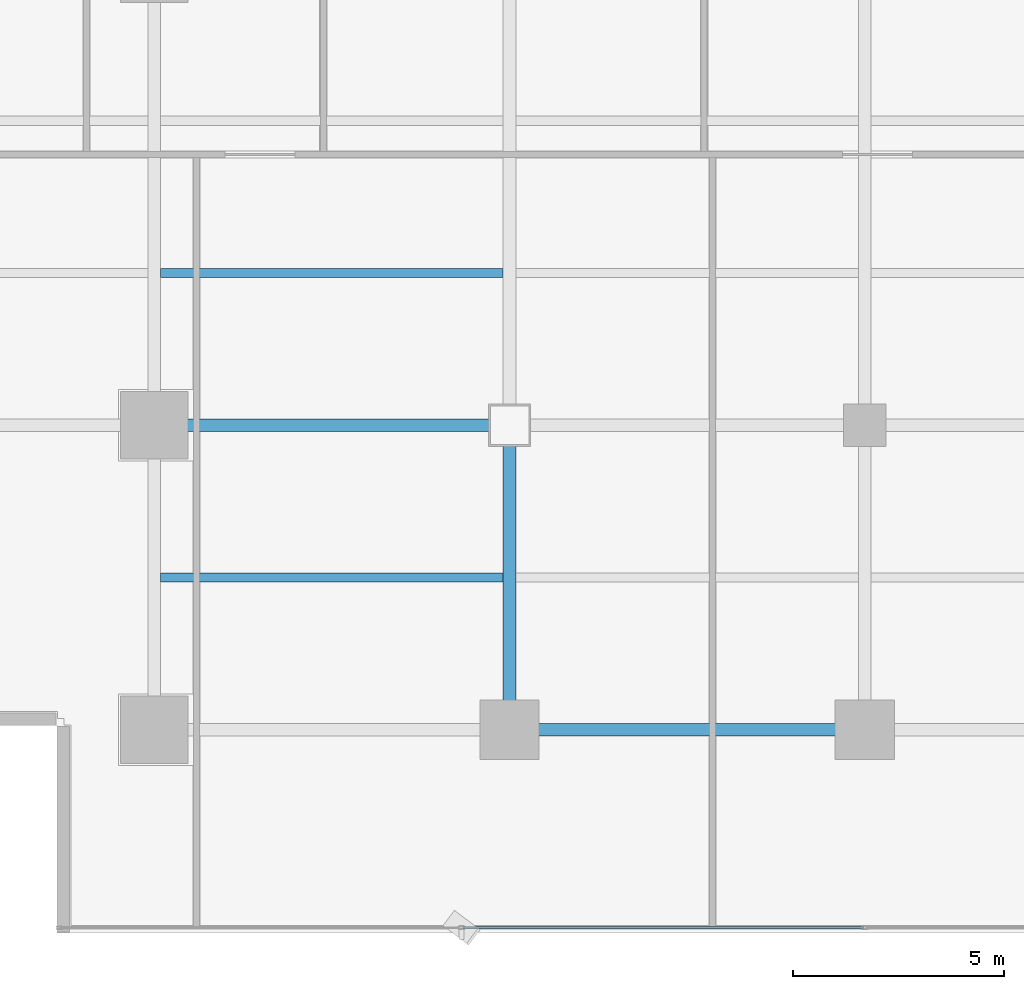
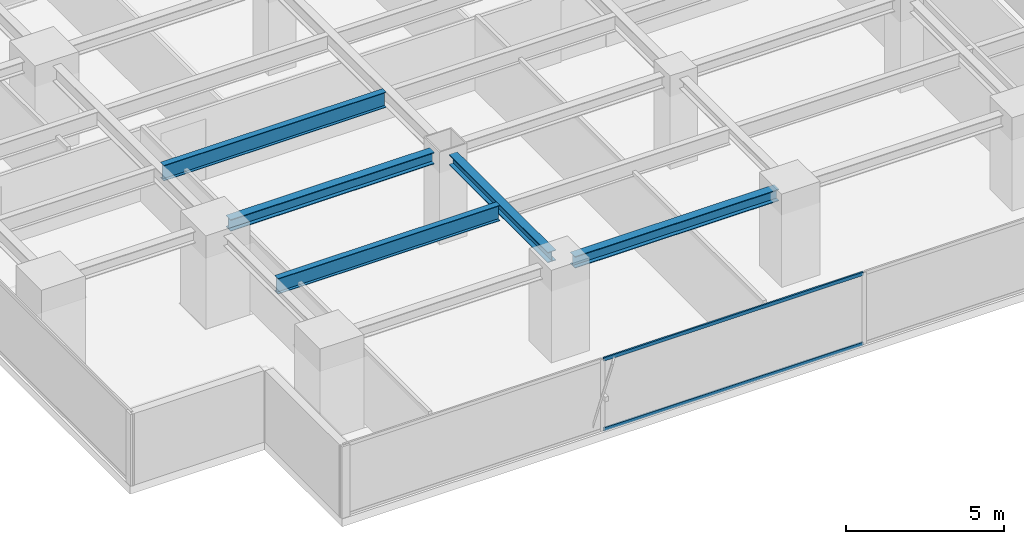
# One storey, part 4 of 29: 5 beams, 2 members, 1 element without a shape of its own.
"""IFC4 building model written with IfcOpenShell, lengths in metres."""

from ifc_helpers import new_model, si_unit, direction, frame, origin, origin_2d, place, context, subcontext, project, spatial, hollow_rectangle, i_section, extrude, source, transform, mapped, material, layer, layer_set, material_profile, profile_set, type_object, element, aggregate, save


model = new_model("IFC4")

# Units and contexts
model_context = context("Model", 3, precision=1e-05, world=origin(), true_north=direction((0.0, 1.0)))
body_context = subcontext(model_context, "Body", "Model", "MODEL_VIEW")
ifc_project = project(units=[si_unit("LENGTHUNIT", "METRE"), si_unit("AREAUNIT", "SQUARE_METRE"), si_unit("VOLUMEUNIT", "CUBIC_METRE"), si_unit("PLANEANGLEUNIT", "RADIAN"), si_unit("MASSUNIT", "GRAM", prefix="KILO")], contexts=[model_context])

# Site, building, storey
site_placement = place(None, origin())
site = spatial("IfcSite", under=ifc_project, at=site_placement, CompositionType="ELEMENT")
building_placement = place(site_placement, origin())
building = spatial("IfcBuilding", under=site, at=building_placement, Name="Sumidabori Civic Tower", CompositionType="ELEMENT")
storey_placement = place(building_placement, frame((0.0, 0.0, 131.60009765625)))
storey = spatial("IfcBuildingStorey", under=building, at=storey_placement, Name="L33", CompositionType="ELEMENT", Elevation=131.60009765625)

# Beams
ifc_material_1 = material(Name="Steel SN490", Category="steel")
ifc_material_profile_1 = material_profile(ifc_material_1, i_section(OverallWidth=0.300048828125, OverallDepth=0.39990234375, WebThickness=0.013427734375, FlangeThickness=0.02392578125, at=origin_2d()), Name="HE 400 B")
ifc_profile_set_1 = profile_set([ifc_material_profile_1], Name="Steel SN490")
beam_type_1 = type_object("IfcBeamType", Name="BM-GIRD-400", PredefinedType="BEAM", material=ifc_profile_set_1)
shared_shape_1 = source(origin(), body_context, "Body", "SweptSolid", [
    extrude(i_section(OverallWidth=0.300048828125, OverallDepth=0.39990234375, WebThickness=0.013427734375, FlangeThickness=0.02392578125, at=origin_2d()), origin(), (0.0, 0.0, 1.0), 6.239990234375),
])
beam_1_placement = place(storey_placement, frame((-8.39990234375, -17.52001953125, 3.179931640625), z_axis=(0.0, 1.0, 0.0), x_axis=(-1.0, 0.0, 0.0)))
element("IfcBeam", 1, at=beam_1_placement, inside=storey, type_object=beam_type_1, Name="Primary Girder L33 GY-26", PredefinedType="BEAM", context=body_context, shape_type="MappedRepresentation", body=[
    mapped(shared_shape_1, transform((0.0, 0.0, 0.0), x_axis=(1.0, 0.0, 0.0), y_axis=(0.0, 1.0, 0.0), z_axis=(0.0, 0.0, 1.0), scale=1.0)),
])
ifc_material_profile_2 = material_profile(ifc_material_1, i_section(OverallWidth=0.219970703125, OverallDepth=0.60009765625, WebThickness=0.011962890625, FlangeThickness=0.01904296875, at=origin_2d()), Name="IPE 600")
ifc_profile_set_2 = profile_set([ifc_material_profile_2], Name="Steel SN490")
beam_type_2 = type_object("IfcBeamType", Name="BM-JST-600", PredefinedType="JOIST", material=ifc_profile_set_2)
shared_shape_2 = source(origin(), body_context, "Body", "SweptSolid", [
    extrude(i_section(OverallWidth=0.219970703125, OverallDepth=0.60009765625, WebThickness=0.011962890625, FlangeThickness=0.01904296875, at=origin_2d()), origin(), (0.0, 0.0, 1.0), 8.099853515625),
])
for number, where, z_axis, x_axis, name in (
    (2, (-16.64990234375, -14.39990234375, 3.079833984375), (1.0, 0.0, 0.0), (0.0, 1.0, 0.0), "South Bay Floor Joist L33 JSTS-49"),
    (3, (-16.64990234375, -7.199951171875, 3.079833984375), (1.0, 0.0, 0.0), (0.0, 1.0, 0.0), "South Bay Floor Joist L33 JSTS-53"),
):
    element("IfcBeam", number, at=place(storey_placement, frame(where, z_axis=z_axis, x_axis=x_axis)), inside=storey, type_object=beam_type_2, Name=name, PredefinedType="JOIST", context=body_context, shape_type="MappedRepresentation", body=[
        mapped(shared_shape_2, transform((0.0, 0.0, 0.0), x_axis=(1.0, 0.0, 0.0), y_axis=(0.0, 1.0, 0.0), z_axis=(0.0, 0.0, 1.0), scale=1.0)),
    ])
ifc_material_profile_3 = material_profile(ifc_material_1, i_section(OverallWidth=0.300048828125, OverallDepth=0.449951171875, WebThickness=0.013916015625, FlangeThickness=0.02587890625, at=origin_2d()), Name="HE 450 B")
ifc_profile_set_3 = profile_set([ifc_material_profile_3], Name="Steel SN490")
beam_type_3 = type_object("IfcBeamType", Name="BM-GIRD-450", PredefinedType="BEAM", material=ifc_profile_set_3)
shared_shape_3 = source(origin(), body_context, "Body", "SweptSolid", [
    extrude(i_section(OverallWidth=0.300048828125, OverallDepth=0.449951171875, WebThickness=0.013916015625, FlangeThickness=0.02587890625, at=origin_2d()), origin(), (0.0, 0.0, 1.0), 7.440185546875),
])
beam_2_placement = place(storey_placement, frame((-16.320068359375, -10.800048828125, 3.15478515625), z_axis=(1.0, 0.0, 0.0), x_axis=(0.0, 1.0, 0.0)))
element("IfcBeam", 4, at=beam_2_placement, inside=storey, type_object=beam_type_3, Name="Primary Girder L33 GX-06", PredefinedType="BEAM", context=body_context, shape_type="MappedRepresentation", body=[
    mapped(shared_shape_3, transform((0.0, 0.0, 0.0), x_axis=(1.0, 0.0, 0.0), y_axis=(0.0, 1.0, 0.0), z_axis=(0.0, 0.0, 1.0), scale=1.0)),
])
shared_shape_4 = source(origin(), body_context, "Body", "SweptSolid", [
    extrude(i_section(OverallWidth=0.300048828125, OverallDepth=0.449951171875, WebThickness=0.013916015625, FlangeThickness=0.02587890625, at=origin_2d()), origin(), (0.0, 0.0, 1.0), 7.43994140625),
])
beam_3_placement = place(storey_placement, frame((-7.919921875, -18.0, 3.15478515625), z_axis=(1.0, 0.0, 0.0), x_axis=(0.0, 1.0, 0.0)))
element("IfcBeam", 5, at=beam_3_placement, inside=storey, type_object=beam_type_3, Name="Primary Girder L33 GX-02", PredefinedType="BEAM", context=body_context, shape_type="MappedRepresentation", body=[
    mapped(shared_shape_4, transform((0.0, 0.0, 0.0), x_axis=(1.0, 0.0, 0.0), y_axis=(0.0, 1.0, 0.0), z_axis=(0.0, 0.0, 1.0), scale=1.0)),
])

# Curtain wall, members
ifc_material_2 = material(Name="Anodised Bronze Aluminium AW-6063-T6", Category="aluminium")
ifc_layer = layer(ifc_material_2, 0.179931640625, Name="Anodised Bronze Aluminium AW-6063-T6")
ifc_layer_set = layer_set([ifc_layer], Name="Anodised Bronze Aluminium AW-6063-T6")
curtain_wall_type = type_object("IfcCurtainWallType", Name="CW-SYS-3", PredefinedType="NOTDEFINED", material=ifc_layer_set)
curtain_wall_placement = place(storey_placement, origin())
curtain_wall = element("IfcCurtainWall", 6, at=curtain_wall_placement, inside=storey, type_object=curtain_wall_type, Name="Curtain Wall CW:L33:R01", PredefinedType="NOTDEFINED")
ifc_material_profile_4 = material_profile(ifc_material_2, hollow_rectangle(XDim=0.06005859375, YDim=0.1298828125, WallThickness=0.0048828125, at=origin_2d()), Name="ALU TRANSOM 130x60")
ifc_profile_set_4 = profile_set([ifc_material_profile_4], Name="Anodised Bronze Aluminium AW-6063-T6")
member_type = type_object("IfcMemberType", Name="CW-TRN-130", PredefinedType="USERDEFINED", material=ifc_profile_set_4)
shared_shape_5 = source(origin(), body_context, "Body", "SweptSolid", [
    extrude(hollow_rectangle(XDim=0.06005859375, YDim=0.1298828125, WallThickness=0.0048828125, at=origin_2d()), origin(), (0.0, 0.0, 1.0), 9.469970703125),
])
member_1_placement = place(storey_placement, frame((-9.50244140625, -22.679931640625, 0.02978515625), z_axis=(1.0, 0.0, 0.0), x_axis=(0.0, 1.0, 0.0)))
member_1 = element("IfcMember", 7, at=member_1_placement, type_object=member_type, Name="CW-3 transom 2.1", ObjectType="TRANSOM", PredefinedType="USERDEFINED", context=body_context, shape_type="MappedRepresentation", body=[
    mapped(shared_shape_5, transform((0.0, 0.0, 0.0), x_axis=(1.0, 0.0, 0.0), y_axis=(0.0, 1.0, 0.0), z_axis=(0.0, 0.0, 1.0), scale=1.0)),
])
member_2_placement = place(storey_placement, frame((-9.50244140625, -22.679931640625, 2.72998046875), z_axis=(1.0, 0.0, 0.0), x_axis=(0.0, 1.0, 0.0)))
member_2 = element("IfcMember", 8, at=member_2_placement, type_object=member_type, Name="CW-3 transom 2.2", ObjectType="TRANSOM", PredefinedType="USERDEFINED", context=body_context, shape_type="MappedRepresentation", body=[
    mapped(shared_shape_5, transform((0.0, 0.0, 0.0), x_axis=(1.0, 0.0, 0.0), y_axis=(0.0, 1.0, 0.0), z_axis=(0.0, 0.0, 1.0), scale=1.0)),
])
aggregate(curtain_wall, [member_1, member_2])

save(model, "model.ifc")
